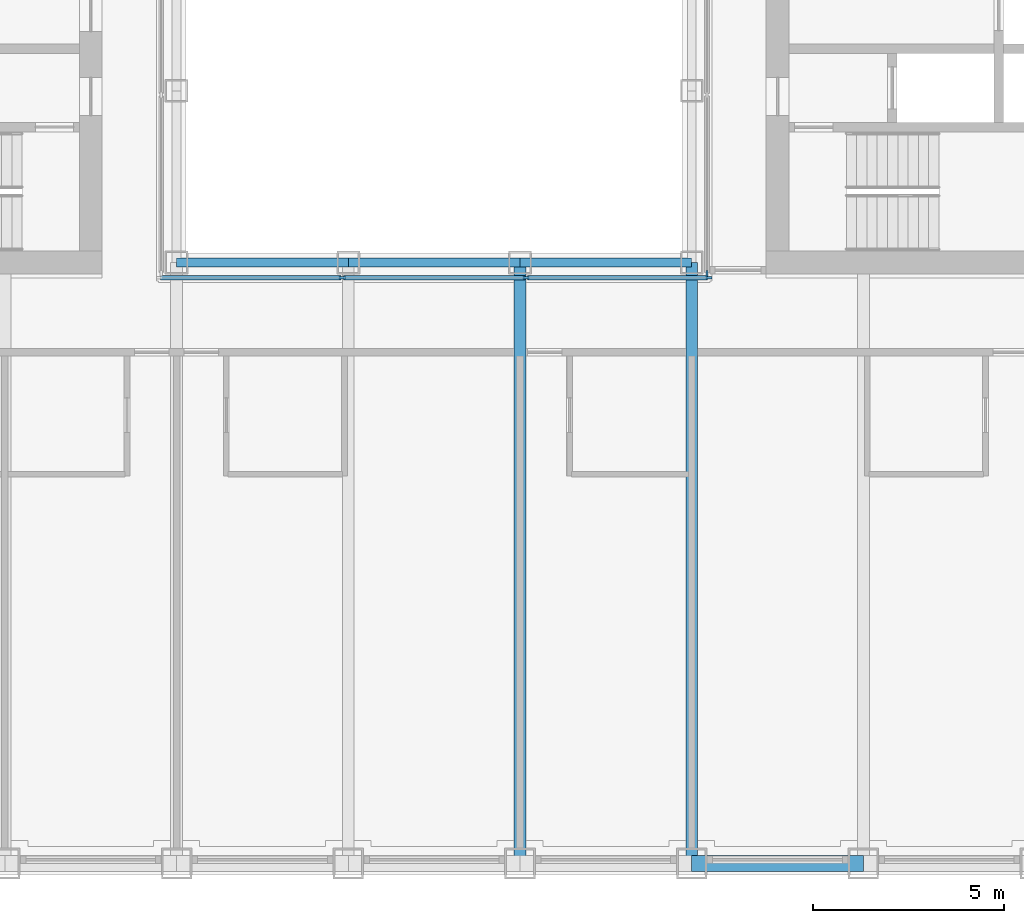
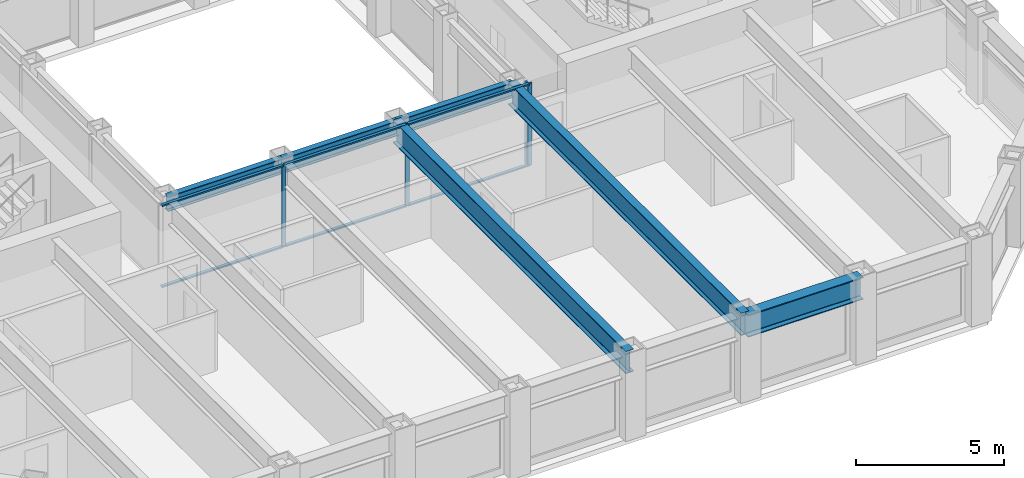
# One storey, part 3 of 17: 10 members, 6 beams, 2 elements without a shape of their own.
"""IFC4 building model written with IfcOpenShell, lengths in metres."""

from ifc_helpers import new_model, si_unit, direction, frame, origin, origin_2d, place, context, subcontext, project, spatial, rectangle, i_section, extrude, material, material_profile, profile_set, type_object, element, aggregate, save


model = new_model("IFC4")

# Units and contexts
model_context = context("Model", 3, precision=1e-05, world=origin(), true_north=direction((0.0, 1.0)))
body_context = subcontext(model_context, "Body", "Model", "MODEL_VIEW")
ifc_project = project(units=[si_unit("LENGTHUNIT", "METRE"), si_unit("AREAUNIT", "SQUARE_METRE"), si_unit("VOLUMEUNIT", "CUBIC_METRE"), si_unit("PLANEANGLEUNIT", "RADIAN"), si_unit("MASSUNIT", "GRAM", prefix="KILO")], contexts=[model_context])

# Site, building, storey
site_placement = place(None, origin())
site = spatial("IfcSite", under=ifc_project, at=site_placement, CompositionType="ELEMENT")
building_placement = place(site_placement, origin())
building = spatial("IfcBuilding", under=site, at=building_placement, Name="Msasa Ring Tower", CompositionType="ELEMENT")
storey_placement = place(building_placement, frame((0.0, 0.0, 140.0)))
storey = spatial("IfcBuildingStorey", under=building, at=storey_placement, Name="L36", CompositionType="ELEMENT", Elevation=140.0)

# Curtain wall, members
ifc_material_1 = material(Name="Aluminium curtain wall with clear glass", Category="aluminium")
curtain_wall_type = type_object("IfcCurtainWallType", Name="CW-W LIGHT WELL CURTAIN WALL", PredefinedType="NOTDEFINED", material=ifc_material_1)
curtain_wall_1_placement = place(storey_placement, origin())
curtain_wall_1 = element("IfcCurtainWall", 1, at=curtain_wall_1_placement, inside=storey, type_object=curtain_wall_type, Name="Light well curtain wall S L36", PredefinedType="NOTDEFINED")
ifc_material_2 = material(Name="Aluminium mullion", Category="aluminium")
ifc_material_profile_1 = material_profile(ifc_material_2, rectangle(XDim=0.06005859375, YDim=0.159912109375, at=origin_2d()), Name="AL 60x160")
ifc_profile_set_1 = profile_set([ifc_material_profile_1], Name="Aluminium mullion")
member_type_1 = type_object("IfcMemberType", Name="CW-W MULLION 60x160", PredefinedType="MULLION", material=ifc_profile_set_1)
member_1_placement = place(storey_placement, frame((-2.409912109375, -7.14990234375, 0.0), z_axis=(0.0, 0.0, 1.0), x_axis=(0.0, 1.0, 0.0)))
member_1 = element("IfcMember", 2, at=member_1_placement, type_object=member_type_1, Name="CW-W mullion 2", PredefinedType="MULLION", context=body_context, shape_type="SweptSolid", body=[
    extrude(rectangle(XDim=0.06005859375, YDim=0.159912109375, at=origin_2d()), origin(), (0.0, 0.0, 1.0), 3.39990234375),
])
member_2_placement = place(storey_placement, frame((2.409912109375, -7.14990234375, 0.0), z_axis=(0.0, 0.0, 1.0), x_axis=(0.0, 1.0, 0.0)))
member_2 = element("IfcMember", 3, at=member_2_placement, type_object=member_type_1, Name="CW-W mullion 3", PredefinedType="MULLION", context=body_context, shape_type="SweptSolid", body=[
    extrude(rectangle(XDim=0.06005859375, YDim=0.159912109375, at=origin_2d()), origin(), (0.0, 0.0, 1.0), 3.39990234375),
])
member_3_placement = place(storey_placement, frame((7.199951171875, -7.14990234375, 0.0), z_axis=(0.0, 0.0, 1.0), x_axis=(0.0, 1.0, 0.0)))
member_3 = element("IfcMember", 4, at=member_3_placement, type_object=member_type_1, Name="CW-W mullion 4", PredefinedType="MULLION", context=body_context, shape_type="SweptSolid", body=[
    extrude(rectangle(XDim=0.06005859375, YDim=0.159912109375, at=origin_2d()), origin(), (0.0, 0.0, 1.0), 3.39990234375),
])

# Curtain wall, member
curtain_wall_2_placement = place(storey_placement, origin())
curtain_wall_2 = element("IfcCurtainWall", 5, at=curtain_wall_2_placement, inside=storey, type_object=curtain_wall_type, Name="Light well curtain wall E L36", PredefinedType="NOTDEFINED")
member_4_placement = place(storey_placement, frame((7.14990234375, -7.0400390625, 0.0), z_axis=(0.0, 0.0, 1.0), x_axis=(-1.0, 0.0, 0.0)))
member_4 = element("IfcMember", 6, at=member_4_placement, type_object=member_type_1, Name="CW-W mullion 1", PredefinedType="MULLION", context=body_context, shape_type="SweptSolid", body=[
    extrude(rectangle(XDim=0.06005859375, YDim=0.159912109375, at=origin_2d()), origin(), (0.0, 0.0, 1.0), 3.39990234375),
])
aggregate(curtain_wall_2, [member_4])

# Member
ifc_material_3 = material(Name="Aluminium transom", Category="aluminium")
ifc_material_profile_2 = material_profile(ifc_material_3, rectangle(XDim=0.1201171875, YDim=0.06005859375, at=origin_2d()), Name="AL 60x120")
ifc_profile_set_2 = profile_set([ifc_material_profile_2], Name="Aluminium transom")
member_type_2 = type_object("IfcMemberType", Name="CW-W TRANSOM 60x120", PredefinedType="USERDEFINED", material=ifc_profile_set_2)
member_5_placement = place(storey_placement, frame((-7.169921875, -7.14990234375, 0.030029296875), z_axis=(1.0, 0.0, 0.0), x_axis=(0.0, 1.0, 0.0)))
member_5 = element("IfcMember", 7, at=member_5_placement, type_object=member_type_2, Name="CW-W transom 1.1", ObjectType="TRANSOM", PredefinedType="USERDEFINED", context=body_context, shape_type="SweptSolid", body=[
    extrude(rectangle(XDim=0.1201171875, YDim=0.06005859375, at=origin_2d()), origin(), (0.0, 0.0, 1.0), 4.72998046875),
])

member_6_placement = place(storey_placement, frame((-7.169921875, -7.14990234375, 3.3701171875), z_axis=(1.0, 0.0, 0.0), x_axis=(0.0, 1.0, 0.0)))
member_6 = element("IfcMember", 8, at=member_6_placement, type_object=member_type_2, Name="CW-W transom 1.2", ObjectType="TRANSOM", PredefinedType="USERDEFINED", context=body_context, shape_type="SweptSolid", body=[
    extrude(rectangle(XDim=0.1201171875, YDim=0.06005859375, at=origin_2d()), origin(), (0.0, 0.0, 1.0), 4.72998046875),
])

member_7_placement = place(storey_placement, frame((-2.3798828125, -7.14990234375, 0.030029296875), z_axis=(1.0, 0.0, 0.0), x_axis=(0.0, 1.0, 0.0)))
member_7 = element("IfcMember", 9, at=member_7_placement, type_object=member_type_2, Name="CW-W transom 2.1", ObjectType="TRANSOM", PredefinedType="USERDEFINED", context=body_context, shape_type="SweptSolid", body=[
    extrude(rectangle(XDim=0.1201171875, YDim=0.06005859375, at=origin_2d()), origin(), (0.0, 0.0, 1.0), 4.759765625),
])

member_8_placement = place(storey_placement, frame((-2.3798828125, -7.14990234375, 3.3701171875), z_axis=(1.0, 0.0, 0.0), x_axis=(0.0, 1.0, 0.0)))
member_8 = element("IfcMember", 10, at=member_8_placement, type_object=member_type_2, Name="CW-W transom 2.2", ObjectType="TRANSOM", PredefinedType="USERDEFINED", context=body_context, shape_type="SweptSolid", body=[
    extrude(rectangle(XDim=0.1201171875, YDim=0.06005859375, at=origin_2d()), origin(), (0.0, 0.0, 1.0), 4.759765625),
])

member_9_placement = place(storey_placement, frame((2.43994140625, -7.14990234375, 0.030029296875), z_axis=(1.0, 0.0, 0.0), x_axis=(0.0, 1.0, 0.0)))
member_9 = element("IfcMember", 11, at=member_9_placement, type_object=member_type_2, Name="CW-W transom 3.1", ObjectType="TRANSOM", PredefinedType="USERDEFINED", context=body_context, shape_type="SweptSolid", body=[
    extrude(rectangle(XDim=0.1201171875, YDim=0.06005859375, at=origin_2d()), origin(), (0.0, 0.0, 1.0), 4.72998046875),
])

member_10_placement = place(storey_placement, frame((2.43994140625, -7.14990234375, 3.3701171875), z_axis=(1.0, 0.0, 0.0), x_axis=(0.0, 1.0, 0.0)))
member_10 = element("IfcMember", 12, at=member_10_placement, type_object=member_type_2, Name="CW-W transom 3.2", ObjectType="TRANSOM", PredefinedType="USERDEFINED", context=body_context, shape_type="SweptSolid", body=[
    extrude(rectangle(XDim=0.1201171875, YDim=0.06005859375, at=origin_2d()), origin(), (0.0, 0.0, 1.0), 4.72998046875),
])

aggregate(curtain_wall_1, [member_1, member_2, member_3, member_5, member_6, member_7, member_8, member_9, member_10])

# Beams
ifc_material_4 = material(Name="Steel S355", Category="steel")
ifc_material_profile_3 = material_profile(ifc_material_4, i_section(OverallWidth=0.3076171875, OverallDepth=0.926513671875, WebThickness=0.01953125, FlangeThickness=0.031982421875, FilletRadius=0.01904296875, at=origin_2d()), Name="UB 914x305x289")
ifc_profile_set_3 = profile_set([ifc_material_profile_3], Name="Steel S355")
beam_type_1 = type_object("IfcBeamType", Name="FB3 UB 914x305x289", PredefinedType="BEAM", material=ifc_profile_set_3)
for number, where, z_axis, x_axis, name in (
    (13, (2.25, -22.5, 2.936767578125), (0.0, 1.0, 0.0), (-1.0, 0.0, 0.0), "Floor beam S+2.25 under L37"),
    (14, (6.75, -22.5, 2.936767578125), (0.0, 1.0, 0.0), (-1.0, 0.0, 0.0), "Floor beam S+6.75 under L37"),
):
    element("IfcBeam", number, at=place(storey_placement, frame(where, z_axis=z_axis, x_axis=x_axis)), inside=storey, type_object=beam_type_1, Name=name, PredefinedType="BEAM", context=body_context, shape_type="SweptSolid", body=[
        extrude(i_section(OverallWidth=0.3076171875, OverallDepth=0.926513671875, WebThickness=0.01953125, FlangeThickness=0.031982421875, FilletRadius=0.01904296875, at=origin_2d()), origin(), (0.0, 0.0, 1.0), 15.75),
    ])
ifc_material_5 = material(Name="Steel S355", Category="steel")
ifc_material_profile_4 = material_profile(ifc_material_5, i_section(OverallWidth=0.230224609375, OverallDepth=0.6171875, WebThickness=0.01318359375, FlangeThickness=0.022216796875, FilletRadius=0.0126953125, at=origin_2d()), Name="UB 610x229x140")
ifc_profile_set_4 = profile_set([ifc_material_profile_4], Name="Steel S355")
beam_type_2 = type_object("IfcBeamType", Name="RB1 UB 610x229x140", PredefinedType="BEAM", material=ifc_profile_set_4)
for number, where, z_axis, x_axis, name in (
    (15, (-6.75, -6.75, 3.09130859375), (1.0, 0.0, 0.0), (0.0, 1.0, 0.0), "Inner ring beam IR-6.75-6.75 under L37"),
    (16, (-2.25, -6.75, 3.09130859375), (1.0, 0.0, 0.0), (0.0, 1.0, 0.0), "Inner ring beam IR-2.25-6.75 under L37"),
    (17, (2.25, -6.75, 3.09130859375), (1.0, 0.0, 0.0), (0.0, 1.0, 0.0), "Inner ring beam IR+2.25-6.75 under L37"),
):
    element("IfcBeam", number, at=place(storey_placement, frame(where, z_axis=z_axis, x_axis=x_axis)), inside=storey, type_object=beam_type_2, Name=name, PredefinedType="BEAM", context=body_context, shape_type="SweptSolid", body=[
        extrude(i_section(OverallWidth=0.230224609375, OverallDepth=0.6171875, WebThickness=0.01318359375, FlangeThickness=0.022216796875, FilletRadius=0.0126953125, at=origin_2d()), origin(), (0.0, 0.0, 1.0), 4.5),
    ])
ifc_material_6 = material(Name="Steel S355", Category="steel")
ifc_material_profile_5 = material_profile(ifc_material_6, i_section(OverallWidth=0.42041015625, OverallDepth=0.9208984375, WebThickness=0.021484375, FlangeThickness=0.03662109375, FilletRadius=0.024169921875, at=origin_2d()), Name="UB 914x419x388")
ifc_profile_set_5 = profile_set([ifc_material_profile_5], Name="Steel S355")
beam_type_3 = type_object("IfcBeamType", Name="SB1 UB 914x419x388", PredefinedType="SPANDREL", material=ifc_profile_set_5)
beam_placement = place(storey_placement, frame((6.75, -22.5, 2.939453125), z_axis=(1.0, 0.0, 0.0), x_axis=(0.0, 1.0, 0.0)))
element("IfcBeam", 18, at=beam_placement, inside=storey, type_object=beam_type_3, Name="Spandrel S+6.75 to S+11.25 under L37", PredefinedType="SPANDREL", context=body_context, shape_type="SweptSolid", body=[
    extrude(i_section(OverallWidth=0.42041015625, OverallDepth=0.9208984375, WebThickness=0.021484375, FlangeThickness=0.03662109375, FilletRadius=0.024169921875, at=origin_2d()), origin(), (0.0, 0.0, 1.0), 4.5),
])

save(model, "model.ifc")
